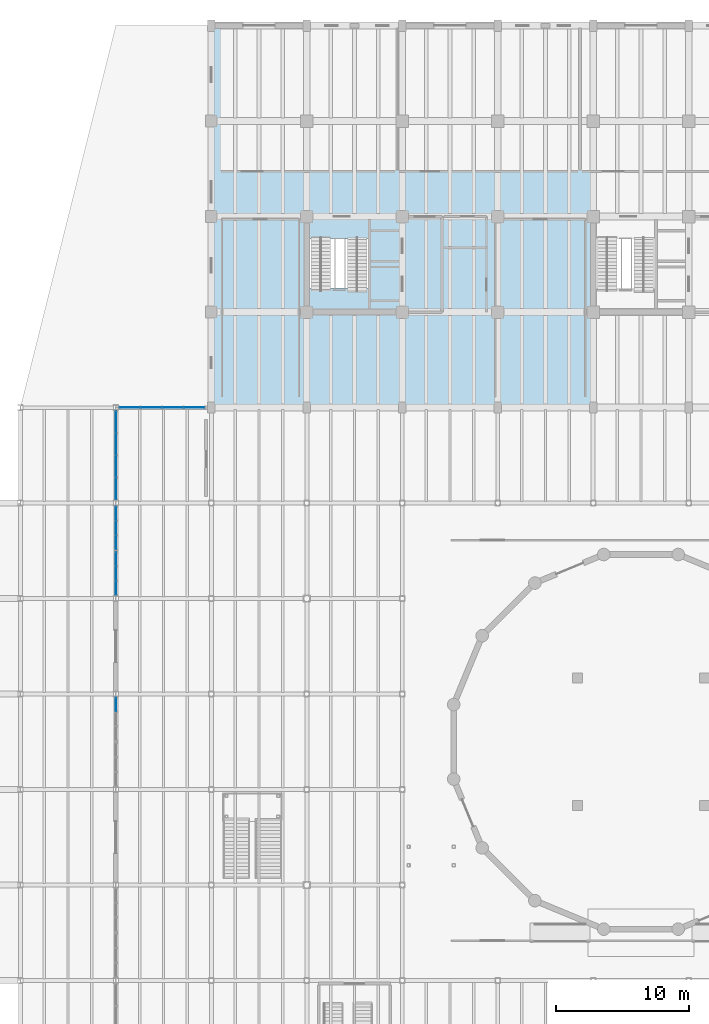
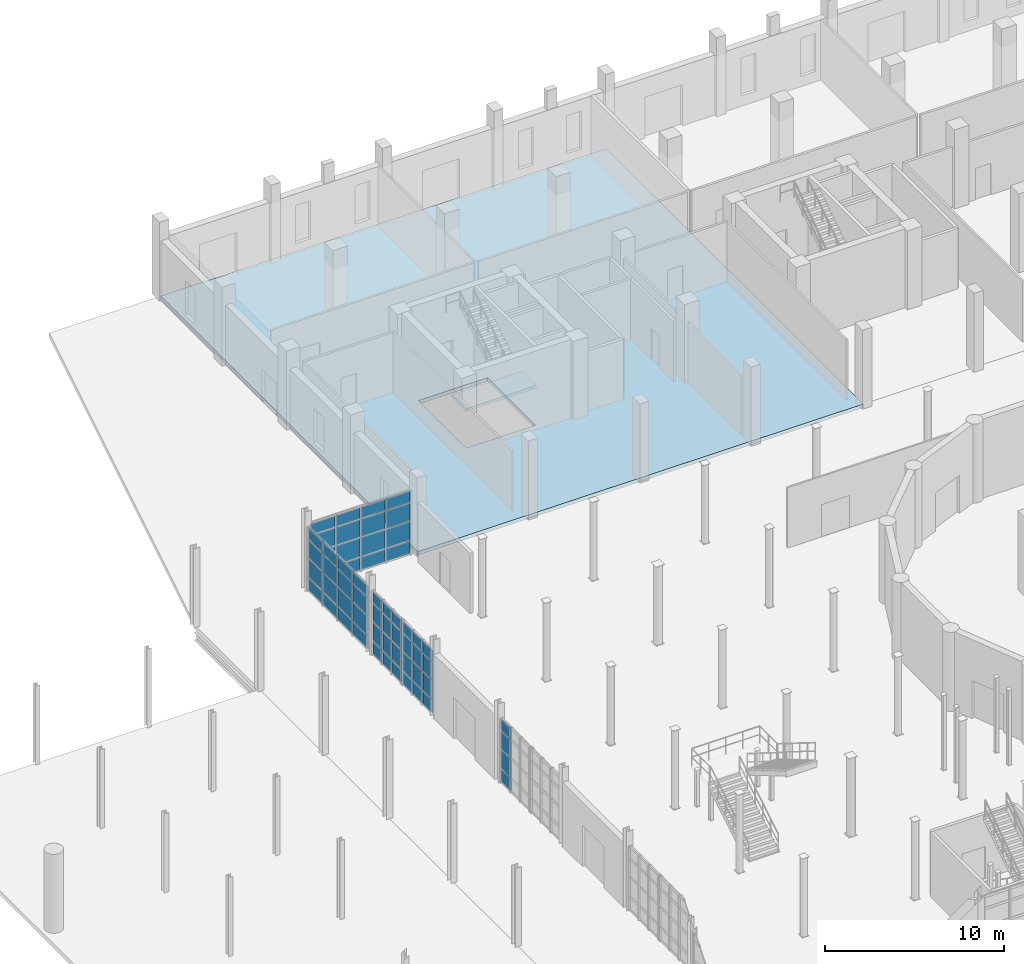
# One storey, part 55 of 79: 60 plates, 2 slabs, 6 elements without a shape of their own.
"""IFC4 building model written with IfcOpenShell, lengths in metres."""

from ifc_helpers import new_model, si_unit, direction, frame, frame_2d, origin, place, context, subcontext, project, spatial, polyline, rectangle, outline, extrude, material, layer, layer_set, type_object, element, aggregate, save


model = new_model("IFC4")

# Units and contexts
model_context = context("Model", 3, precision=1e-05, world=origin(), true_north=direction((0.0, 1.0)))
body_context = subcontext(model_context, "Body", "Model", "MODEL_VIEW")
ifc_project = project(units=[si_unit("LENGTHUNIT", "METRE"), si_unit("AREAUNIT", "SQUARE_METRE"), si_unit("VOLUMEUNIT", "CUBIC_METRE"), si_unit("PLANEANGLEUNIT", "RADIAN"), si_unit("MASSUNIT", "GRAM", prefix="KILO")], contexts=[model_context])

# Site, building, storey
site_placement = place(None, origin())
site = spatial("IfcSite", under=ifc_project, at=site_placement, CompositionType="ELEMENT")
building_placement = place(site_placement, origin())
building = spatial("IfcBuilding", under=site, at=building_placement, Name="Qiaolan Assembly House", CompositionType="ELEMENT")
storey_placement = place(building_placement, origin())
storey = spatial("IfcBuildingStorey", under=building, at=storey_placement, Name="L00", CompositionType="ELEMENT", Elevation=0.0)

# Curtain wall, plates
ifc_material_1 = material(Name="Anodised bronze aluminium", Category="aluminium")
curtain_wall_type = type_object("IfcCurtainWallType", Name="CW-HALL-MAIN-540", PredefinedType="NOTDEFINED", material=ifc_material_1)
curtain_wall_1_placement = place(storey_placement, origin())
curtain_wall_1 = element("IfcCurtainWall", 1, at=curtain_wall_1_placement, inside=storey, type_object=curtain_wall_type, Name="CW-01 Hall West facade L00-3B", PredefinedType="NOTDEFINED")
ifc_material_2 = material(Name="Low-E double insulating glass", Category="glass")
ifc_layer_1 = layer(ifc_material_2, 0.035888671875)
ifc_layer_set_1 = layer_set([ifc_layer_1], Name="Low-E double insulating glass")
plate_type = type_object("IfcPlateType", Name="CW-HALL-MAIN-540-PNL", PredefinedType="CURTAIN_PANEL", material=ifc_layer_set_1)
plate_1_placement = place(storey_placement, frame((28.800048828125, 63.498046875, 0.06298828125), z_axis=(0.0, 0.0, 1.0), x_axis=(0.0, 1.0, 0.0)))
plate_1 = element("IfcPlate", 2, at=plate_1_placement, type_object=plate_type, Name="GL-01 glazing panel CW-HALL-W-L00-3B-9", PredefinedType="CURTAIN_PANEL", context=body_context, shape_type="SweptSolid", body=[
    extrude(rectangle(XDim=1.013916015625, YDim=0.035888671875, at=frame_2d((0.5068359375, 0.0))), origin(), (0.0, 0.0, 1.0), 0.85400390625),
])
plate_2_placement = place(storey_placement, frame((28.800048828125, 63.498046875, 0.98291015625), z_axis=(0.0, 0.0, 1.0), x_axis=(0.0, 1.0, 0.0)))
plate_2 = element("IfcPlate", 3, at=plate_2_placement, type_object=plate_type, Name="GL-01 glazing panel CW-HALL-W-L00-3B-10", PredefinedType="CURTAIN_PANEL", context=body_context, shape_type="SweptSolid", body=[
    extrude(rectangle(XDim=1.013916015625, YDim=0.035888671875, at=frame_2d((0.5068359375, 0.0))), origin(), (0.0, 0.0, 1.0), 1.27197265625),
])
plate_3_placement = place(storey_placement, frame((28.800048828125, 63.498046875, 2.321044921875), z_axis=(0.0, 0.0, 1.0), x_axis=(0.0, 1.0, 0.0)))
plate_3 = element("IfcPlate", 4, at=plate_3_placement, type_object=plate_type, Name="GL-01 glazing panel CW-HALL-W-L00-3B-11", PredefinedType="CURTAIN_PANEL", context=body_context, shape_type="SweptSolid", body=[
    extrude(rectangle(XDim=1.013916015625, YDim=0.035888671875, at=frame_2d((0.5068359375, 0.0))), origin(), (0.0, 0.0, 1.0), 1.196044921875),
])
plate_4_placement = place(storey_placement, frame((28.800048828125, 63.498046875, 3.5830078125), z_axis=(0.0, 0.0, 1.0), x_axis=(0.0, 1.0, 0.0)))
plate_4 = element("IfcPlate", 5, at=plate_4_placement, type_object=plate_type, Name="GL-01 glazing panel CW-HALL-W-L00-3B-12", PredefinedType="CURTAIN_PANEL", context=body_context, shape_type="SweptSolid", body=[
    extrude(rectangle(XDim=1.013916015625, YDim=0.035888671875, at=frame_2d((0.5068359375, 0.0))), origin(), (0.0, 0.0, 1.0), 0.75390625),
])
aggregate(curtain_wall_1, [plate_1, plate_2, plate_3, plate_4])

curtain_wall_2_placement = place(storey_placement, origin())
curtain_wall_2 = element("IfcCurtainWall", 6, at=curtain_wall_2_placement, inside=storey, type_object=curtain_wall_type, Name="CW-01 Hall West facade L00-5A", PredefinedType="NOTDEFINED")
plate_5_placement = place(storey_placement, frame((28.800048828125, 72.2880859375, 0.06298828125), z_axis=(0.0, 0.0, 1.0), x_axis=(0.0, 1.0, 0.0)))
plate_5 = element("IfcPlate", 7, at=plate_5_placement, type_object=plate_type, Name="GL-01 glazing panel CW-HALL-W-L00-5A-1", PredefinedType="CURTAIN_PANEL", context=body_context, shape_type="SweptSolid", body=[
    extrude(rectangle(XDim=1.013916015625, YDim=0.035888671875, at=frame_2d((0.5068359375, 0.0))), origin(), (0.0, 0.0, 1.0), 0.85400390625),
])
plate_6_placement = place(storey_placement, frame((28.800048828125, 72.2880859375, 0.98291015625), z_axis=(0.0, 0.0, 1.0), x_axis=(0.0, 1.0, 0.0)))
plate_6 = element("IfcPlate", 8, at=plate_6_placement, type_object=plate_type, Name="GL-01 glazing panel CW-HALL-W-L00-5A-2", PredefinedType="CURTAIN_PANEL", context=body_context, shape_type="SweptSolid", body=[
    extrude(rectangle(XDim=1.013916015625, YDim=0.035888671875, at=frame_2d((0.5068359375, 0.0))), origin(), (0.0, 0.0, 1.0), 1.27197265625),
])
plate_7_placement = place(storey_placement, frame((28.800048828125, 72.2880859375, 2.321044921875), z_axis=(0.0, 0.0, 1.0), x_axis=(0.0, 1.0, 0.0)))
plate_7 = element("IfcPlate", 9, at=plate_7_placement, type_object=plate_type, Name="GL-01 glazing panel CW-HALL-W-L00-5A-3", PredefinedType="CURTAIN_PANEL", context=body_context, shape_type="SweptSolid", body=[
    extrude(rectangle(XDim=1.013916015625, YDim=0.035888671875, at=frame_2d((0.5068359375, 0.0))), origin(), (0.0, 0.0, 1.0), 1.196044921875),
])
plate_8_placement = place(storey_placement, frame((28.800048828125, 72.2880859375, 3.5830078125), z_axis=(0.0, 0.0, 1.0), x_axis=(0.0, 1.0, 0.0)))
plate_8 = element("IfcPlate", 10, at=plate_8_placement, type_object=plate_type, Name="GL-01 glazing panel CW-HALL-W-L00-5A-4", PredefinedType="CURTAIN_PANEL", context=body_context, shape_type="SweptSolid", body=[
    extrude(rectangle(XDim=1.013916015625, YDim=0.035888671875, at=frame_2d((0.5068359375, 0.0))), origin(), (0.0, 0.0, 1.0), 0.75390625),
])
plate_9_placement = place(storey_placement, frame((28.800048828125, 73.3779296875, 0.06298828125), z_axis=(0.0, 0.0, 1.0), x_axis=(0.0, 1.0, 0.0)))
plate_9 = element("IfcPlate", 11, at=plate_9_placement, type_object=plate_type, Name="GL-01 glazing panel CW-HALL-W-L00-5A-5", PredefinedType="CURTAIN_PANEL", context=body_context, shape_type="SweptSolid", body=[
    extrude(rectangle(XDim=1.01416015625, YDim=0.035888671875, at=frame_2d((0.507080078125, 0.0))), origin(), (0.0, 0.0, 1.0), 0.85400390625),
])
plate_10_placement = place(storey_placement, frame((28.800048828125, 73.3779296875, 0.98291015625), z_axis=(0.0, 0.0, 1.0), x_axis=(0.0, 1.0, 0.0)))
plate_10 = element("IfcPlate", 12, at=plate_10_placement, type_object=plate_type, Name="GL-01 glazing panel CW-HALL-W-L00-5A-6", PredefinedType="CURTAIN_PANEL", context=body_context, shape_type="SweptSolid", body=[
    extrude(rectangle(XDim=1.01416015625, YDim=0.035888671875, at=frame_2d((0.507080078125, 0.0))), origin(), (0.0, 0.0, 1.0), 1.27197265625),
])
plate_11_placement = place(storey_placement, frame((28.800048828125, 73.3779296875, 2.321044921875), z_axis=(0.0, 0.0, 1.0), x_axis=(0.0, 1.0, 0.0)))
plate_11 = element("IfcPlate", 13, at=plate_11_placement, type_object=plate_type, Name="GL-01 glazing panel CW-HALL-W-L00-5A-7", PredefinedType="CURTAIN_PANEL", context=body_context, shape_type="SweptSolid", body=[
    extrude(rectangle(XDim=1.01416015625, YDim=0.035888671875, at=frame_2d((0.507080078125, 0.0))), origin(), (0.0, 0.0, 1.0), 1.196044921875),
])
plate_12_placement = place(storey_placement, frame((28.800048828125, 73.3779296875, 3.5830078125), z_axis=(0.0, 0.0, 1.0), x_axis=(0.0, 1.0, 0.0)))
plate_12 = element("IfcPlate", 14, at=plate_12_placement, type_object=plate_type, Name="GL-01 glazing panel CW-HALL-W-L00-5A-8", PredefinedType="CURTAIN_PANEL", context=body_context, shape_type="SweptSolid", body=[
    extrude(rectangle(XDim=1.01416015625, YDim=0.035888671875, at=frame_2d((0.507080078125, 0.0))), origin(), (0.0, 0.0, 1.0), 0.75390625),
])
plate_13_placement = place(storey_placement, frame((28.800048828125, 74.468017578125, 0.06298828125), z_axis=(0.0, 0.0, 1.0), x_axis=(0.0, 1.0, 0.0)))
plate_13 = element("IfcPlate", 15, at=plate_13_placement, type_object=plate_type, Name="GL-01 glazing panel CW-HALL-W-L00-5A-9", PredefinedType="CURTAIN_PANEL", context=body_context, shape_type="SweptSolid", body=[
    extrude(rectangle(XDim=1.013916015625, YDim=0.035888671875, at=frame_2d((0.5068359375, 0.0))), origin(), (0.0, 0.0, 1.0), 0.85400390625),
])
plate_14_placement = place(storey_placement, frame((28.800048828125, 74.468017578125, 0.98291015625), z_axis=(0.0, 0.0, 1.0), x_axis=(0.0, 1.0, 0.0)))
plate_14 = element("IfcPlate", 16, at=plate_14_placement, type_object=plate_type, Name="GL-01 glazing panel CW-HALL-W-L00-5A-10", PredefinedType="CURTAIN_PANEL", context=body_context, shape_type="SweptSolid", body=[
    extrude(rectangle(XDim=1.013916015625, YDim=0.035888671875, at=frame_2d((0.5068359375, 0.0))), origin(), (0.0, 0.0, 1.0), 1.27197265625),
])
plate_15_placement = place(storey_placement, frame((28.800048828125, 74.468017578125, 2.321044921875), z_axis=(0.0, 0.0, 1.0), x_axis=(0.0, 1.0, 0.0)))
plate_15 = element("IfcPlate", 17, at=plate_15_placement, type_object=plate_type, Name="GL-01 glazing panel CW-HALL-W-L00-5A-11", PredefinedType="CURTAIN_PANEL", context=body_context, shape_type="SweptSolid", body=[
    extrude(rectangle(XDim=1.013916015625, YDim=0.035888671875, at=frame_2d((0.5068359375, 0.0))), origin(), (0.0, 0.0, 1.0), 1.196044921875),
])
plate_16_placement = place(storey_placement, frame((28.800048828125, 74.468017578125, 3.5830078125), z_axis=(0.0, 0.0, 1.0), x_axis=(0.0, 1.0, 0.0)))
plate_16 = element("IfcPlate", 18, at=plate_16_placement, type_object=plate_type, Name="GL-01 glazing panel CW-HALL-W-L00-5A-12", PredefinedType="CURTAIN_PANEL", context=body_context, shape_type="SweptSolid", body=[
    extrude(rectangle(XDim=1.013916015625, YDim=0.035888671875, at=frame_2d((0.5068359375, 0.0))), origin(), (0.0, 0.0, 1.0), 0.75390625),
])
aggregate(curtain_wall_2, [plate_5, plate_6, plate_7, plate_8, plate_9, plate_10, plate_11, plate_12, plate_13, plate_14, plate_15, plate_16])

curtain_wall_3_placement = place(storey_placement, origin())
curtain_wall_3 = element("IfcCurtainWall", 19, at=curtain_wall_3_placement, inside=storey, type_object=curtain_wall_type, Name="CW-01 Hall West facade L00-5B", PredefinedType="NOTDEFINED")
plate_17_placement = place(storey_placement, frame((28.800048828125, 75.718017578125, 0.06298828125), z_axis=(0.0, 0.0, 1.0), x_axis=(0.0, 1.0, 0.0)))
plate_17 = element("IfcPlate", 20, at=plate_17_placement, type_object=plate_type, Name="GL-01 glazing panel CW-HALL-W-L00-5B-1", PredefinedType="CURTAIN_PANEL", context=body_context, shape_type="SweptSolid", body=[
    extrude(rectangle(XDim=1.013916015625, YDim=0.035888671875, at=frame_2d((0.5068359375, 0.0))), origin(), (0.0, 0.0, 1.0), 0.85400390625),
])
plate_18_placement = place(storey_placement, frame((28.800048828125, 75.718017578125, 0.98291015625), z_axis=(0.0, 0.0, 1.0), x_axis=(0.0, 1.0, 0.0)))
plate_18 = element("IfcPlate", 21, at=plate_18_placement, type_object=plate_type, Name="GL-01 glazing panel CW-HALL-W-L00-5B-2", PredefinedType="CURTAIN_PANEL", context=body_context, shape_type="SweptSolid", body=[
    extrude(rectangle(XDim=1.013916015625, YDim=0.035888671875, at=frame_2d((0.5068359375, 0.0))), origin(), (0.0, 0.0, 1.0), 1.27197265625),
])
plate_19_placement = place(storey_placement, frame((28.800048828125, 75.718017578125, 2.321044921875), z_axis=(0.0, 0.0, 1.0), x_axis=(0.0, 1.0, 0.0)))
plate_19 = element("IfcPlate", 22, at=plate_19_placement, type_object=plate_type, Name="GL-01 glazing panel CW-HALL-W-L00-5B-3", PredefinedType="CURTAIN_PANEL", context=body_context, shape_type="SweptSolid", body=[
    extrude(rectangle(XDim=1.013916015625, YDim=0.035888671875, at=frame_2d((0.5068359375, 0.0))), origin(), (0.0, 0.0, 1.0), 1.196044921875),
])
plate_20_placement = place(storey_placement, frame((28.800048828125, 75.718017578125, 3.5830078125), z_axis=(0.0, 0.0, 1.0), x_axis=(0.0, 1.0, 0.0)))
plate_20 = element("IfcPlate", 23, at=plate_20_placement, type_object=plate_type, Name="GL-01 glazing panel CW-HALL-W-L00-5B-4", PredefinedType="CURTAIN_PANEL", context=body_context, shape_type="SweptSolid", body=[
    extrude(rectangle(XDim=1.013916015625, YDim=0.035888671875, at=frame_2d((0.5068359375, 0.0))), origin(), (0.0, 0.0, 1.0), 0.75390625),
])
plate_21_placement = place(storey_placement, frame((28.800048828125, 76.80810546875, 0.06298828125), z_axis=(0.0, 0.0, 1.0), x_axis=(0.0, 1.0, 0.0)))
plate_21 = element("IfcPlate", 24, at=plate_21_placement, type_object=plate_type, Name="GL-01 glazing panel CW-HALL-W-L00-5B-5", PredefinedType="CURTAIN_PANEL", context=body_context, shape_type="SweptSolid", body=[
    extrude(rectangle(XDim=1.013916015625, YDim=0.035888671875, at=frame_2d((0.5068359375, 0.0))), origin(), (0.0, 0.0, 1.0), 0.85400390625),
])
plate_22_placement = place(storey_placement, frame((28.800048828125, 76.80810546875, 0.98291015625), z_axis=(0.0, 0.0, 1.0), x_axis=(0.0, 1.0, 0.0)))
plate_22 = element("IfcPlate", 25, at=plate_22_placement, type_object=plate_type, Name="GL-01 glazing panel CW-HALL-W-L00-5B-6", PredefinedType="CURTAIN_PANEL", context=body_context, shape_type="SweptSolid", body=[
    extrude(rectangle(XDim=1.013916015625, YDim=0.035888671875, at=frame_2d((0.5068359375, 0.0))), origin(), (0.0, 0.0, 1.0), 1.27197265625),
])
plate_23_placement = place(storey_placement, frame((28.800048828125, 76.80810546875, 2.321044921875), z_axis=(0.0, 0.0, 1.0), x_axis=(0.0, 1.0, 0.0)))
plate_23 = element("IfcPlate", 26, at=plate_23_placement, type_object=plate_type, Name="GL-01 glazing panel CW-HALL-W-L00-5B-7", PredefinedType="CURTAIN_PANEL", context=body_context, shape_type="SweptSolid", body=[
    extrude(rectangle(XDim=1.013916015625, YDim=0.035888671875, at=frame_2d((0.5068359375, 0.0))), origin(), (0.0, 0.0, 1.0), 1.196044921875),
])
plate_24_placement = place(storey_placement, frame((28.800048828125, 76.80810546875, 3.5830078125), z_axis=(0.0, 0.0, 1.0), x_axis=(0.0, 1.0, 0.0)))
plate_24 = element("IfcPlate", 27, at=plate_24_placement, type_object=plate_type, Name="GL-01 glazing panel CW-HALL-W-L00-5B-8", PredefinedType="CURTAIN_PANEL", context=body_context, shape_type="SweptSolid", body=[
    extrude(rectangle(XDim=1.013916015625, YDim=0.035888671875, at=frame_2d((0.5068359375, 0.0))), origin(), (0.0, 0.0, 1.0), 0.75390625),
])
plate_25_placement = place(storey_placement, frame((28.800048828125, 77.89794921875, 0.06298828125), z_axis=(0.0, 0.0, 1.0), x_axis=(0.0, 1.0, 0.0)))
plate_25 = element("IfcPlate", 28, at=plate_25_placement, type_object=plate_type, Name="GL-01 glazing panel CW-HALL-W-L00-5B-9", PredefinedType="CURTAIN_PANEL", context=body_context, shape_type="SweptSolid", body=[
    extrude(rectangle(XDim=1.01416015625, YDim=0.035888671875, at=frame_2d((0.507080078125, 0.0))), origin(), (0.0, 0.0, 1.0), 0.85400390625),
])
plate_26_placement = place(storey_placement, frame((28.800048828125, 77.89794921875, 0.98291015625), z_axis=(0.0, 0.0, 1.0), x_axis=(0.0, 1.0, 0.0)))
plate_26 = element("IfcPlate", 29, at=plate_26_placement, type_object=plate_type, Name="GL-01 glazing panel CW-HALL-W-L00-5B-10", PredefinedType="CURTAIN_PANEL", context=body_context, shape_type="SweptSolid", body=[
    extrude(rectangle(XDim=1.01416015625, YDim=0.035888671875, at=frame_2d((0.507080078125, 0.0))), origin(), (0.0, 0.0, 1.0), 1.27197265625),
])
plate_27_placement = place(storey_placement, frame((28.800048828125, 77.89794921875, 2.321044921875), z_axis=(0.0, 0.0, 1.0), x_axis=(0.0, 1.0, 0.0)))
plate_27 = element("IfcPlate", 30, at=plate_27_placement, type_object=plate_type, Name="GL-01 glazing panel CW-HALL-W-L00-5B-11", PredefinedType="CURTAIN_PANEL", context=body_context, shape_type="SweptSolid", body=[
    extrude(rectangle(XDim=1.01416015625, YDim=0.035888671875, at=frame_2d((0.507080078125, 0.0))), origin(), (0.0, 0.0, 1.0), 1.196044921875),
])
plate_28_placement = place(storey_placement, frame((28.800048828125, 77.89794921875, 3.5830078125), z_axis=(0.0, 0.0, 1.0), x_axis=(0.0, 1.0, 0.0)))
plate_28 = element("IfcPlate", 31, at=plate_28_placement, type_object=plate_type, Name="GL-01 glazing panel CW-HALL-W-L00-5B-12", PredefinedType="CURTAIN_PANEL", context=body_context, shape_type="SweptSolid", body=[
    extrude(rectangle(XDim=1.01416015625, YDim=0.035888671875, at=frame_2d((0.507080078125, 0.0))), origin(), (0.0, 0.0, 1.0), 0.75390625),
])
aggregate(curtain_wall_3, [plate_17, plate_18, plate_19, plate_20, plate_21, plate_22, plate_23, plate_24, plate_25, plate_26, plate_27, plate_28])

curtain_wall_4_placement = place(storey_placement, origin())
curtain_wall_4 = element("IfcCurtainWall", 32, at=curtain_wall_4_placement, inside=storey, type_object=curtain_wall_type, Name="CW-01 Hall West facade L00-6", PredefinedType="NOTDEFINED")
plate_29_placement = place(storey_placement, frame((28.800048828125, 79.488037109375, 0.06298828125), z_axis=(0.0, 0.0, 1.0), x_axis=(0.0, 1.0, 0.0)))
plate_29 = element("IfcPlate", 33, at=plate_29_placement, type_object=plate_type, Name="GL-01 glazing panel CW-HALL-W-L00-6-1", PredefinedType="CURTAIN_PANEL", context=body_context, shape_type="SweptSolid", body=[
    extrude(rectangle(XDim=1.598876953125, YDim=0.035888671875, at=frame_2d((0.79931640625, 0.0))), origin(), (0.0, 0.0, 1.0), 0.85400390625),
])
plate_30_placement = place(storey_placement, frame((28.800048828125, 79.488037109375, 0.98291015625), z_axis=(0.0, 0.0, 1.0), x_axis=(0.0, 1.0, 0.0)))
plate_30 = element("IfcPlate", 34, at=plate_30_placement, type_object=plate_type, Name="GL-01 glazing panel CW-HALL-W-L00-6-2", PredefinedType="CURTAIN_PANEL", context=body_context, shape_type="SweptSolid", body=[
    extrude(rectangle(XDim=1.598876953125, YDim=0.035888671875, at=frame_2d((0.79931640625, 0.0))), origin(), (0.0, 0.0, 1.0), 1.27197265625),
])
plate_31_placement = place(storey_placement, frame((28.800048828125, 79.488037109375, 2.321044921875), z_axis=(0.0, 0.0, 1.0), x_axis=(0.0, 1.0, 0.0)))
plate_31 = element("IfcPlate", 35, at=plate_31_placement, type_object=plate_type, Name="GL-01 glazing panel CW-HALL-W-L00-6-3", PredefinedType="CURTAIN_PANEL", context=body_context, shape_type="SweptSolid", body=[
    extrude(rectangle(XDim=1.598876953125, YDim=0.035888671875, at=frame_2d((0.79931640625, 0.0))), origin(), (0.0, 0.0, 1.0), 1.196044921875),
])
plate_32_placement = place(storey_placement, frame((28.800048828125, 79.488037109375, 3.5830078125), z_axis=(0.0, 0.0, 1.0), x_axis=(0.0, 1.0, 0.0)))
plate_32 = element("IfcPlate", 36, at=plate_32_placement, type_object=plate_type, Name="GL-01 glazing panel CW-HALL-W-L00-6-4", PredefinedType="CURTAIN_PANEL", context=body_context, shape_type="SweptSolid", body=[
    extrude(rectangle(XDim=1.598876953125, YDim=0.035888671875, at=frame_2d((0.79931640625, 0.0))), origin(), (0.0, 0.0, 1.0), 0.75390625),
])
plate_33_placement = place(storey_placement, frame((28.800048828125, 81.1630859375, 0.06298828125), z_axis=(0.0, 0.0, 1.0), x_axis=(0.0, 1.0, 0.0)))
plate_33 = element("IfcPlate", 37, at=plate_33_placement, type_object=plate_type, Name="GL-01 glazing panel CW-HALL-W-L00-6-5", PredefinedType="CURTAIN_PANEL", context=body_context, shape_type="SweptSolid", body=[
    extrude(rectangle(XDim=1.598876953125, YDim=0.035888671875, at=frame_2d((0.79931640625, 0.0))), origin(), (0.0, 0.0, 1.0), 0.85400390625),
])
plate_34_placement = place(storey_placement, frame((28.800048828125, 81.1630859375, 0.98291015625), z_axis=(0.0, 0.0, 1.0), x_axis=(0.0, 1.0, 0.0)))
plate_34 = element("IfcPlate", 38, at=plate_34_placement, type_object=plate_type, Name="GL-01 glazing panel CW-HALL-W-L00-6-6", PredefinedType="CURTAIN_PANEL", context=body_context, shape_type="SweptSolid", body=[
    extrude(rectangle(XDim=1.598876953125, YDim=0.035888671875, at=frame_2d((0.79931640625, 0.0))), origin(), (0.0, 0.0, 1.0), 1.27197265625),
])
plate_35_placement = place(storey_placement, frame((28.800048828125, 81.1630859375, 2.321044921875), z_axis=(0.0, 0.0, 1.0), x_axis=(0.0, 1.0, 0.0)))
plate_35 = element("IfcPlate", 39, at=plate_35_placement, type_object=plate_type, Name="GL-01 glazing panel CW-HALL-W-L00-6-7", PredefinedType="CURTAIN_PANEL", context=body_context, shape_type="SweptSolid", body=[
    extrude(rectangle(XDim=1.598876953125, YDim=0.035888671875, at=frame_2d((0.79931640625, 0.0))), origin(), (0.0, 0.0, 1.0), 1.196044921875),
])
plate_36_placement = place(storey_placement, frame((28.800048828125, 81.1630859375, 3.5830078125), z_axis=(0.0, 0.0, 1.0), x_axis=(0.0, 1.0, 0.0)))
plate_36 = element("IfcPlate", 40, at=plate_36_placement, type_object=plate_type, Name="GL-01 glazing panel CW-HALL-W-L00-6-8", PredefinedType="CURTAIN_PANEL", context=body_context, shape_type="SweptSolid", body=[
    extrude(rectangle(XDim=1.598876953125, YDim=0.035888671875, at=frame_2d((0.79931640625, 0.0))), origin(), (0.0, 0.0, 1.0), 0.75390625),
])
plate_37_placement = place(storey_placement, frame((28.800048828125, 82.837890625, 0.06298828125), z_axis=(0.0, 0.0, 1.0), x_axis=(0.0, 1.0, 0.0)))
plate_37 = element("IfcPlate", 41, at=plate_37_placement, type_object=plate_type, Name="GL-01 glazing panel CW-HALL-W-L00-6-9", PredefinedType="CURTAIN_PANEL", context=body_context, shape_type="SweptSolid", body=[
    extrude(rectangle(XDim=1.59912109375, YDim=0.035888671875, at=frame_2d((0.799560546875, 0.0))), origin(), (0.0, 0.0, 1.0), 0.85400390625),
])
plate_38_placement = place(storey_placement, frame((28.800048828125, 82.837890625, 0.98291015625), z_axis=(0.0, 0.0, 1.0), x_axis=(0.0, 1.0, 0.0)))
plate_38 = element("IfcPlate", 42, at=plate_38_placement, type_object=plate_type, Name="GL-01 glazing panel CW-HALL-W-L00-6-10", PredefinedType="CURTAIN_PANEL", context=body_context, shape_type="SweptSolid", body=[
    extrude(rectangle(XDim=1.59912109375, YDim=0.035888671875, at=frame_2d((0.799560546875, 0.0))), origin(), (0.0, 0.0, 1.0), 1.27197265625),
])
plate_39_placement = place(storey_placement, frame((28.800048828125, 82.837890625, 2.321044921875), z_axis=(0.0, 0.0, 1.0), x_axis=(0.0, 1.0, 0.0)))
plate_39 = element("IfcPlate", 43, at=plate_39_placement, type_object=plate_type, Name="GL-01 glazing panel CW-HALL-W-L00-6-11", PredefinedType="CURTAIN_PANEL", context=body_context, shape_type="SweptSolid", body=[
    extrude(rectangle(XDim=1.59912109375, YDim=0.035888671875, at=frame_2d((0.799560546875, 0.0))), origin(), (0.0, 0.0, 1.0), 1.196044921875),
])
plate_40_placement = place(storey_placement, frame((28.800048828125, 82.837890625, 3.5830078125), z_axis=(0.0, 0.0, 1.0), x_axis=(0.0, 1.0, 0.0)))
plate_40 = element("IfcPlate", 44, at=plate_40_placement, type_object=plate_type, Name="GL-01 glazing panel CW-HALL-W-L00-6-12", PredefinedType="CURTAIN_PANEL", context=body_context, shape_type="SweptSolid", body=[
    extrude(rectangle(XDim=1.59912109375, YDim=0.035888671875, at=frame_2d((0.799560546875, 0.0))), origin(), (0.0, 0.0, 1.0), 0.75390625),
])
plate_41_placement = place(storey_placement, frame((28.800048828125, 84.512939453125, 0.06298828125), z_axis=(0.0, 0.0, 1.0), x_axis=(0.0, 1.0, 0.0)))
plate_41 = element("IfcPlate", 45, at=plate_41_placement, type_object=plate_type, Name="GL-01 glazing panel CW-HALL-W-L00-6-13", PredefinedType="CURTAIN_PANEL", context=body_context, shape_type="SweptSolid", body=[
    extrude(rectangle(XDim=1.59912109375, YDim=0.035888671875, at=frame_2d((0.799560546875, 0.0))), origin(), (0.0, 0.0, 1.0), 0.85400390625),
])
plate_42_placement = place(storey_placement, frame((28.800048828125, 84.512939453125, 0.98291015625), z_axis=(0.0, 0.0, 1.0), x_axis=(0.0, 1.0, 0.0)))
plate_42 = element("IfcPlate", 46, at=plate_42_placement, type_object=plate_type, Name="GL-01 glazing panel CW-HALL-W-L00-6-14", PredefinedType="CURTAIN_PANEL", context=body_context, shape_type="SweptSolid", body=[
    extrude(rectangle(XDim=1.59912109375, YDim=0.035888671875, at=frame_2d((0.799560546875, 0.0))), origin(), (0.0, 0.0, 1.0), 1.27197265625),
])
plate_43_placement = place(storey_placement, frame((28.800048828125, 84.512939453125, 2.321044921875), z_axis=(0.0, 0.0, 1.0), x_axis=(0.0, 1.0, 0.0)))
plate_43 = element("IfcPlate", 47, at=plate_43_placement, type_object=plate_type, Name="GL-01 glazing panel CW-HALL-W-L00-6-15", PredefinedType="CURTAIN_PANEL", context=body_context, shape_type="SweptSolid", body=[
    extrude(rectangle(XDim=1.59912109375, YDim=0.035888671875, at=frame_2d((0.799560546875, 0.0))), origin(), (0.0, 0.0, 1.0), 1.196044921875),
])
plate_44_placement = place(storey_placement, frame((28.800048828125, 84.512939453125, 3.5830078125), z_axis=(0.0, 0.0, 1.0), x_axis=(0.0, 1.0, 0.0)))
plate_44 = element("IfcPlate", 48, at=plate_44_placement, type_object=plate_type, Name="GL-01 glazing panel CW-HALL-W-L00-6-16", PredefinedType="CURTAIN_PANEL", context=body_context, shape_type="SweptSolid", body=[
    extrude(rectangle(XDim=1.59912109375, YDim=0.035888671875, at=frame_2d((0.799560546875, 0.0))), origin(), (0.0, 0.0, 1.0), 0.75390625),
])
aggregate(curtain_wall_4, [plate_29, plate_30, plate_31, plate_32, plate_33, plate_34, plate_35, plate_36, plate_37, plate_38, plate_39, plate_40, plate_41, plate_42, plate_43, plate_44])

curtain_wall_5_placement = place(storey_placement, origin())
curtain_wall_5 = element("IfcCurtainWall", 49, at=curtain_wall_5_placement, inside=storey, type_object=curtain_wall_type, Name="CW-02 Hall North-West link CW L00", PredefinedType="NOTDEFINED")
plate_45_placement = place(storey_placement, frame((35.48193359375, 86.39990234375, 0.06298828125), z_axis=(0.0, 0.0, 1.0), x_axis=(-1.0, 0.0, 0.0)))
plate_45 = element("IfcPlate", 50, at=plate_45_placement, type_object=plate_type, Name="GL-01 glazing panel CW-HALL-NWJ-L00-1", PredefinedType="CURTAIN_PANEL", context=body_context, shape_type="SweptSolid", body=[
    extrude(rectangle(XDim=1.54150390625, YDim=0.035888671875, at=frame_2d((0.770751953125, 0.0))), origin(), (0.0, 0.0, 1.0), 0.85400390625),
])
plate_46_placement = place(storey_placement, frame((35.48193359375, 86.39990234375, 0.98291015625), z_axis=(0.0, 0.0, 1.0), x_axis=(-1.0, 0.0, 0.0)))
plate_46 = element("IfcPlate", 51, at=plate_46_placement, type_object=plate_type, Name="GL-01 glazing panel CW-HALL-NWJ-L00-2", PredefinedType="CURTAIN_PANEL", context=body_context, shape_type="SweptSolid", body=[
    extrude(rectangle(XDim=1.54150390625, YDim=0.035888671875, at=frame_2d((0.770751953125, 0.0))), origin(), (0.0, 0.0, 1.0), 1.27197265625),
])
plate_47_placement = place(storey_placement, frame((35.48193359375, 86.39990234375, 2.321044921875), z_axis=(0.0, 0.0, 1.0), x_axis=(-1.0, 0.0, 0.0)))
plate_47 = element("IfcPlate", 52, at=plate_47_placement, type_object=plate_type, Name="GL-01 glazing panel CW-HALL-NWJ-L00-3", PredefinedType="CURTAIN_PANEL", context=body_context, shape_type="SweptSolid", body=[
    extrude(rectangle(XDim=1.54150390625, YDim=0.035888671875, at=frame_2d((0.770751953125, 0.0))), origin(), (0.0, 0.0, 1.0), 1.196044921875),
])
plate_48_placement = place(storey_placement, frame((35.48193359375, 86.39990234375, 3.5830078125), z_axis=(0.0, 0.0, 1.0), x_axis=(-1.0, 0.0, 0.0)))
plate_48 = element("IfcPlate", 53, at=plate_48_placement, type_object=plate_type, Name="GL-01 glazing panel CW-HALL-NWJ-L00-4", PredefinedType="CURTAIN_PANEL", context=body_context, shape_type="SweptSolid", body=[
    extrude(rectangle(XDim=1.54150390625, YDim=0.035888671875, at=frame_2d((0.770751953125, 0.0))), origin(), (0.0, 0.0, 1.0), 0.75390625),
])
plate_49_placement = place(storey_placement, frame((33.864501953125, 86.39990234375, 0.06298828125), z_axis=(0.0, 0.0, 1.0), x_axis=(-1.0, 0.0, 0.0)))
plate_49 = element("IfcPlate", 54, at=plate_49_placement, type_object=plate_type, Name="GL-01 glazing panel CW-HALL-NWJ-L00-5", PredefinedType="CURTAIN_PANEL", context=body_context, shape_type="SweptSolid", body=[
    extrude(rectangle(XDim=1.54150390625, YDim=0.035888671875, at=frame_2d((0.770751953125, 0.0))), origin(), (0.0, 0.0, 1.0), 0.85400390625),
])
plate_50_placement = place(storey_placement, frame((33.864501953125, 86.39990234375, 0.98291015625), z_axis=(0.0, 0.0, 1.0), x_axis=(-1.0, 0.0, 0.0)))
plate_50 = element("IfcPlate", 55, at=plate_50_placement, type_object=plate_type, Name="GL-01 glazing panel CW-HALL-NWJ-L00-6", PredefinedType="CURTAIN_PANEL", context=body_context, shape_type="SweptSolid", body=[
    extrude(rectangle(XDim=1.54150390625, YDim=0.035888671875, at=frame_2d((0.770751953125, 0.0))), origin(), (0.0, 0.0, 1.0), 1.27197265625),
])
plate_51_placement = place(storey_placement, frame((33.864501953125, 86.39990234375, 2.321044921875), z_axis=(0.0, 0.0, 1.0), x_axis=(-1.0, 0.0, 0.0)))
plate_51 = element("IfcPlate", 56, at=plate_51_placement, type_object=plate_type, Name="GL-01 glazing panel CW-HALL-NWJ-L00-7", PredefinedType="CURTAIN_PANEL", context=body_context, shape_type="SweptSolid", body=[
    extrude(rectangle(XDim=1.54150390625, YDim=0.035888671875, at=frame_2d((0.770751953125, 0.0))), origin(), (0.0, 0.0, 1.0), 1.196044921875),
])
plate_52_placement = place(storey_placement, frame((33.864501953125, 86.39990234375, 3.5830078125), z_axis=(0.0, 0.0, 1.0), x_axis=(-1.0, 0.0, 0.0)))
plate_52 = element("IfcPlate", 57, at=plate_52_placement, type_object=plate_type, Name="GL-01 glazing panel CW-HALL-NWJ-L00-8", PredefinedType="CURTAIN_PANEL", context=body_context, shape_type="SweptSolid", body=[
    extrude(rectangle(XDim=1.54150390625, YDim=0.035888671875, at=frame_2d((0.770751953125, 0.0))), origin(), (0.0, 0.0, 1.0), 0.75390625),
])
plate_53_placement = place(storey_placement, frame((32.2470703125, 86.39990234375, 0.06298828125), z_axis=(0.0, 0.0, 1.0), x_axis=(-1.0, 0.0, 0.0)))
plate_53 = element("IfcPlate", 58, at=plate_53_placement, type_object=plate_type, Name="GL-01 glazing panel CW-HALL-NWJ-L00-9", PredefinedType="CURTAIN_PANEL", context=body_context, shape_type="SweptSolid", body=[
    extrude(rectangle(XDim=1.54150390625, YDim=0.035888671875, at=frame_2d((0.770751953125, 0.0))), origin(), (0.0, 0.0, 1.0), 0.85400390625),
])
plate_54_placement = place(storey_placement, frame((32.2470703125, 86.39990234375, 0.98291015625), z_axis=(0.0, 0.0, 1.0), x_axis=(-1.0, 0.0, 0.0)))
plate_54 = element("IfcPlate", 59, at=plate_54_placement, type_object=plate_type, Name="GL-01 glazing panel CW-HALL-NWJ-L00-10", PredefinedType="CURTAIN_PANEL", context=body_context, shape_type="SweptSolid", body=[
    extrude(rectangle(XDim=1.54150390625, YDim=0.035888671875, at=frame_2d((0.770751953125, 0.0))), origin(), (0.0, 0.0, 1.0), 1.27197265625),
])
plate_55_placement = place(storey_placement, frame((32.2470703125, 86.39990234375, 2.321044921875), z_axis=(0.0, 0.0, 1.0), x_axis=(-1.0, 0.0, 0.0)))
plate_55 = element("IfcPlate", 60, at=plate_55_placement, type_object=plate_type, Name="GL-01 glazing panel CW-HALL-NWJ-L00-11", PredefinedType="CURTAIN_PANEL", context=body_context, shape_type="SweptSolid", body=[
    extrude(rectangle(XDim=1.54150390625, YDim=0.035888671875, at=frame_2d((0.770751953125, 0.0))), origin(), (0.0, 0.0, 1.0), 1.196044921875),
])
plate_56_placement = place(storey_placement, frame((32.2470703125, 86.39990234375, 3.5830078125), z_axis=(0.0, 0.0, 1.0), x_axis=(-1.0, 0.0, 0.0)))
plate_56 = element("IfcPlate", 61, at=plate_56_placement, type_object=plate_type, Name="GL-01 glazing panel CW-HALL-NWJ-L00-12", PredefinedType="CURTAIN_PANEL", context=body_context, shape_type="SweptSolid", body=[
    extrude(rectangle(XDim=1.54150390625, YDim=0.035888671875, at=frame_2d((0.770751953125, 0.0))), origin(), (0.0, 0.0, 1.0), 0.75390625),
])
plate_57_placement = place(storey_placement, frame((30.62939453125, 86.39990234375, 0.06298828125), z_axis=(0.0, 0.0, 1.0), x_axis=(-1.0, 0.0, 0.0)))
plate_57 = element("IfcPlate", 62, at=plate_57_placement, type_object=plate_type, Name="GL-01 glazing panel CW-HALL-NWJ-L00-13", PredefinedType="CURTAIN_PANEL", context=body_context, shape_type="SweptSolid", body=[
    extrude(rectangle(XDim=1.54150390625, YDim=0.035888671875, at=frame_2d((0.770751953125, 0.0))), origin(), (0.0, 0.0, 1.0), 0.85400390625),
])
plate_58_placement = place(storey_placement, frame((30.62939453125, 86.39990234375, 0.98291015625), z_axis=(0.0, 0.0, 1.0), x_axis=(-1.0, 0.0, 0.0)))
plate_58 = element("IfcPlate", 63, at=plate_58_placement, type_object=plate_type, Name="GL-01 glazing panel CW-HALL-NWJ-L00-14", PredefinedType="CURTAIN_PANEL", context=body_context, shape_type="SweptSolid", body=[
    extrude(rectangle(XDim=1.54150390625, YDim=0.035888671875, at=frame_2d((0.770751953125, 0.0))), origin(), (0.0, 0.0, 1.0), 1.27197265625),
])
plate_59_placement = place(storey_placement, frame((30.62939453125, 86.39990234375, 2.321044921875), z_axis=(0.0, 0.0, 1.0), x_axis=(-1.0, 0.0, 0.0)))
plate_59 = element("IfcPlate", 64, at=plate_59_placement, type_object=plate_type, Name="GL-01 glazing panel CW-HALL-NWJ-L00-15", PredefinedType="CURTAIN_PANEL", context=body_context, shape_type="SweptSolid", body=[
    extrude(rectangle(XDim=1.54150390625, YDim=0.035888671875, at=frame_2d((0.770751953125, 0.0))), origin(), (0.0, 0.0, 1.0), 1.196044921875),
])
plate_60_placement = place(storey_placement, frame((30.62939453125, 86.39990234375, 3.5830078125), z_axis=(0.0, 0.0, 1.0), x_axis=(-1.0, 0.0, 0.0)))
plate_60 = element("IfcPlate", 65, at=plate_60_placement, type_object=plate_type, Name="GL-01 glazing panel CW-HALL-NWJ-L00-16", PredefinedType="CURTAIN_PANEL", context=body_context, shape_type="SweptSolid", body=[
    extrude(rectangle(XDim=1.54150390625, YDim=0.035888671875, at=frame_2d((0.770751953125, 0.0))), origin(), (0.0, 0.0, 1.0), 0.75390625),
])
aggregate(curtain_wall_5, [plate_45, plate_46, plate_47, plate_48, plate_49, plate_50, plate_51, plate_52, plate_53, plate_54, plate_55, plate_56, plate_57, plate_58, plate_59, plate_60])

# Slab
ifc_material_3 = material(Name="Concrete C40/50", Category="concrete")
ifc_layer_2 = layer(ifc_material_3, 0.25)
ifc_layer_set_2 = layer_set([ifc_layer_2], Name="Concrete C40/50")
slab_type_1 = type_object("IfcSlabType", Name="SLB-COMM-250", PredefinedType="FLOOR", material=ifc_layer_set_2)
slab_1_placement = place(storey_placement, frame((0.0, 0.0, -0.25)))
element("IfcSlab", 66, at=slab_1_placement, inside=storey, type_object=slab_type_1, Name="FS-01 North-West Wing West Plate L00", PredefinedType="FLOOR", context=body_context, shape_type="SweptSolid", body=[
    extrude(outline(polyline([(36.0, 86.39990234375), (64.800048828125, 86.39990234375), (64.800048828125, 115.199951171875), (36.0, 115.199951171875), (36.0, 86.39990234375)]), holes=[polyline([(43.39990234375, 93.800048828125), (43.39990234375, 99.14990234375), (47.8798828125, 99.14990234375), (47.8798828125, 93.800048828125), (43.39990234375, 93.800048828125)])]), origin(), (0.0, 0.0, 1.0), 0.25),
])

# Stair, slab
stair_type = type_object("IfcStairType", Name="STR-PODIUM-540", PredefinedType="THREE_QUARTER_TURN_STAIR", material=ifc_material_3)
stair_placement = place(storey_placement, origin())
stair = element("IfcStair", 67, at=stair_placement, inside=storey, type_object=stair_type, Name="ST-01 enclosed egress stair CORE-A L00", PredefinedType="THREE_QUARTER_TURN_STAIR")
ifc_layer_3 = layer(ifc_material_3, 0.199951171875)
ifc_layer_set_3 = layer_set([ifc_layer_3], Name="Concrete C40/50")
slab_type_2 = type_object("IfcSlabType", Name="SLB-LANDING-200", PredefinedType="LANDING", material=ifc_layer_set_3)
slab_2_placement = place(storey_placement, frame((0.0, 0.0, 2.5)))
slab_2 = element("IfcSlab", 68, at=slab_2_placement, type_object=slab_type_2, Name="Stair landing LND-CORE-A-L00-HL", PredefinedType="LANDING", context=body_context, shape_type="SweptSolid", body=[
    extrude(outline(polyline([(43.3798828125, 93.780029296875), (43.3798828125, 95.389892578125), (47.919921875, 95.389892578125), (47.919921875, 93.780029296875), (43.3798828125, 93.780029296875)])), origin(), (0.0, 0.0, 1.0), 0.199951171875),
])
aggregate(stair, [slab_2])

save(model, "model.ifc")
